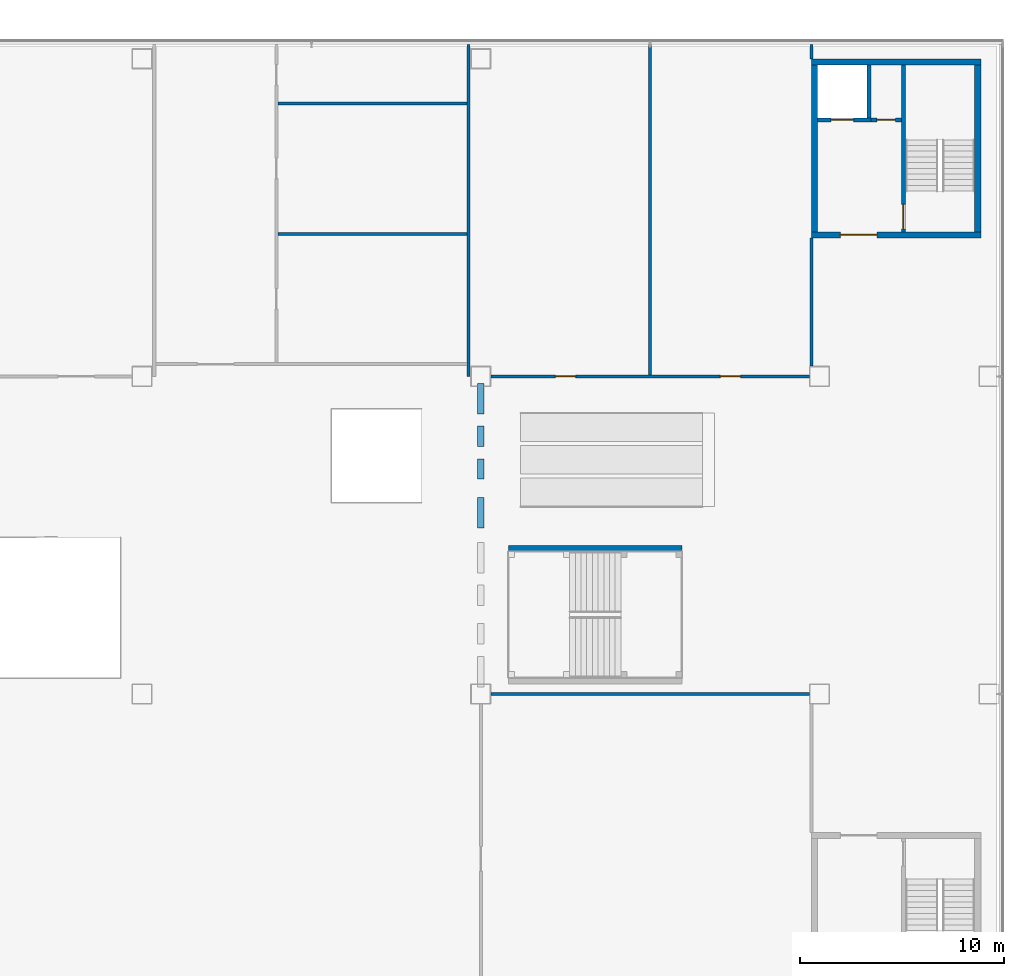
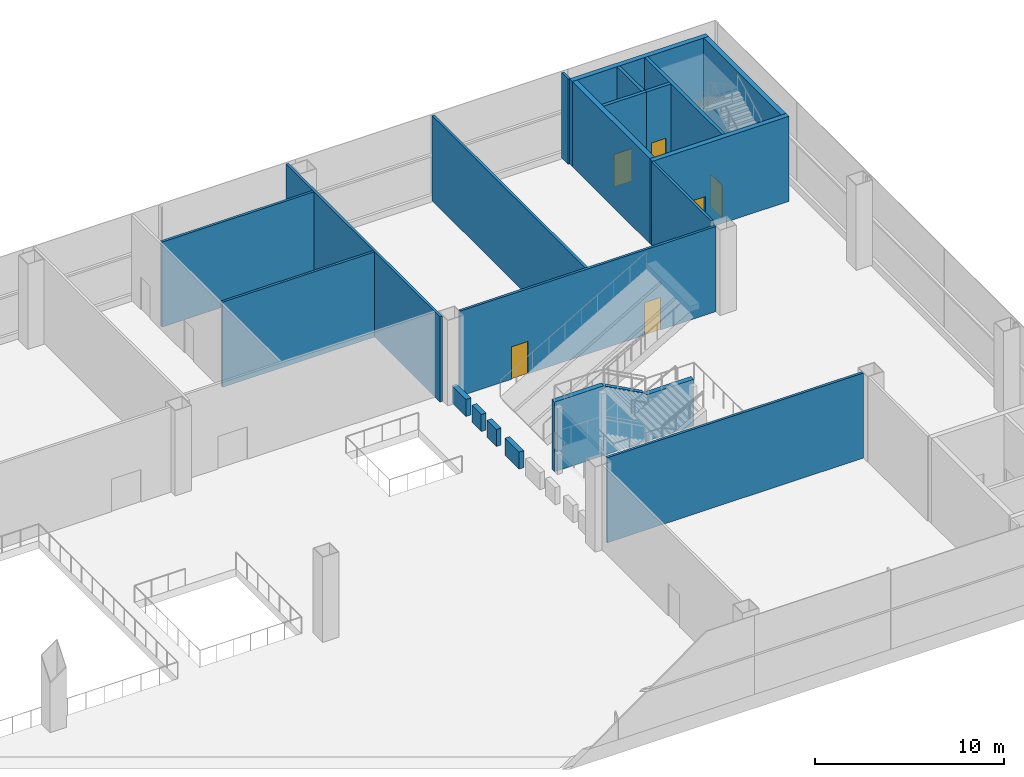
# One storey, part 41 of 100: 21 walls, 6 doors, 6 openings.
"""IFC4 building model written with IfcOpenShell, lengths in metres."""

from ifc_helpers import new_model, si_unit, direction, frame, frame_2d, origin, place, context, subcontext, project, spatial, polyline, rectangle, outline, extrude, material, layer, layer_set, type_object, element, fill, save


model = new_model("IFC4")

# Units and contexts
model_context = context("Model", 3, precision=1e-05, world=origin(), true_north=direction((0.0, 1.0)))
body_context = subcontext(model_context, "Body", "Model", "MODEL_VIEW")
ifc_project = project(units=[si_unit("LENGTHUNIT", "METRE"), si_unit("AREAUNIT", "SQUARE_METRE"), si_unit("VOLUMEUNIT", "CUBIC_METRE"), si_unit("PLANEANGLEUNIT", "RADIAN"), si_unit("MASSUNIT", "GRAM", prefix="KILO")], contexts=[model_context])

# Site, building, storey
site_placement = place(None, origin())
site = spatial("IfcSite", under=ifc_project, at=site_placement, CompositionType="ELEMENT")
building_placement = place(site_placement, origin())
building = spatial("IfcBuilding", under=site, at=building_placement, Name="Hakoniwa Tower and Hamabe Station Hall", CompositionType="ELEMENT")
storey_placement = place(building_placement, frame((0.0, 0.0, 9.0)))
storey = spatial("IfcBuildingStorey", under=building, at=storey_placement, Name="L02", CompositionType="ELEMENT", Elevation=9.0)

# Wall, opening, door
ifc_material_1 = material(Name="Concrete block masonry fb10", Category="masonry")
ifc_layer_1 = layer(ifc_material_1, 0.199951171875)
ifc_layer_set_1 = layer_set([ifc_layer_1], Name="BLOCK WALL 200 EI 60")
wall_type_1 = type_object("IfcWallType", Name="BLOCK WALL 200 EI 60", PredefinedType="PARTITIONING", material=ifc_layer_set_1)
wall_1_placement = place(storey_placement, frame((164.85009765625, 20.39990234375, 0.0), z_axis=(0.0, 0.0, 1.0), x_axis=(-1.0, 0.0, 0.0)))
wall_1 = element("IfcWall", 1, at=wall_1_placement, inside=storey, type_object=wall_type_1, Name="Station riser room wall SC2 L02", PredefinedType="PARTITIONING", context=body_context, shape_type="SweptSolid", body=[
    extrude(rectangle(XDim=1.5, YDim=0.199951171875, at=frame_2d((0.75, 0.0))), origin(), (0.0, 0.0, 1.0), 5.5),
])
opening_1_placement = place(wall_1_placement, frame((0.300048828125, 0.0, 0.0)))
opening_1 = element("IfcOpeningElement", 2, at=opening_1_placement, cuts=wall_1, Name="Opening SD-L02-017", PredefinedType="OPENING", context=body_context, shape_type="SweptSolid", body=[
    extrude(rectangle(XDim=0.89990234375, YDim=2.10009765625, at=frame_2d((0.449951171875, 1.050048828125))), frame((0.0, 0.10986328125, 0.0), z_axis=(0.0, -1.0, 0.0), x_axis=(1.0, 0.0, 0.0)), (0.0, 0.0, 1.0), 0.219970703125),
])
ifc_material_2 = material(Name="Steel fire door", Category="steel")
door_type_1 = type_object("IfcDoorType", Name="FIRE DOOR 900X2100 FD30", OperationType="SINGLE_SWING_LEFT", PredefinedType="DOOR", material=ifc_material_2)
door_1_placement = place(opening_1_placement, origin())
door_1 = element("IfcDoor", 3, at=door_1_placement, inside=storey, type_object=door_type_1, Name="Door riser SC2", OperationType="SINGLE_SWING_RIGHT", OverallHeight=2.10009765625, OverallWidth=0.89990234375, PredefinedType="DOOR", context=body_context, shape_type="SweptSolid", body=[
    extrude(rectangle(XDim=0.89990234375, YDim=2.10009765625, at=frame_2d((0.449951171875, 1.050048828125))), frame((0.0, 0.02490234375, 0.0), z_axis=(0.0, -1.0, 0.0), x_axis=(1.0, 0.0, 0.0)), (0.0, 0.0, 1.0), 0.050048828125),
])
fill(opening_1, door_1)

# Wall
ifc_material_3 = material(Name="Fire-rated gypsum board partition")
ifc_layer_2 = layer(ifc_material_3, 0.14990234375)
ifc_layer_set_2 = layer_set([ifc_layer_2], Name="FIRE PARTITION 150 EI 60")
wall_type_2 = type_object("IfcWallType", Name="FIRE PARTITION 150 EI 60", PredefinedType="PARTITIONING", material=ifc_layer_set_2)
wall_2_placement = place(storey_placement, frame((144.68994140625, -7.800048828125, 0.0), z_axis=(0.0, 0.0, 1.0), x_axis=(1.0, 0.0, 0.0)))
element("IfcWall", 4, at=wall_2_placement, inside=storey, type_object=wall_type_2, Name="Partition L02 1", PredefinedType="PARTITIONING", context=body_context, shape_type="SweptSolid", body=[
    extrude(rectangle(XDim=15.64013671875, YDim=0.14990234375, at=frame_2d((7.820068359375, 0.0))), origin(), (0.0, 0.0, 1.0), 5.5),
])

# Wall, openings, doors
wall_3_placement = place(storey_placement, frame((144.68994140625, 7.800048828125, 0.0), z_axis=(0.0, 0.0, 1.0), x_axis=(1.0, 0.0, 0.0)))
wall_3 = element("IfcWall", 5, at=wall_3_placement, inside=storey, type_object=wall_type_2, Name="Partition L02 3", PredefinedType="PARTITIONING", context=body_context, shape_type="SweptSolid", body=[
    extrude(rectangle(XDim=15.64013671875, YDim=0.14990234375, at=frame_2d((7.820068359375, 0.0))), origin(), (0.0, 0.0, 1.0), 5.5),
])
opening_2_placement = place(wall_3_placement, frame((3.159912109375, 0.0, 0.0)))
opening_2 = element("IfcOpeningElement", 6, at=opening_2_placement, cuts=wall_3, Name="Opening SD-L02-010", PredefinedType="OPENING", context=body_context, shape_type="SweptSolid", body=[
    extrude(rectangle(XDim=1.0, YDim=2.10009765625, at=frame_2d((0.5, 1.050048828125))), frame((0.0, 0.0849609375, 0.0), z_axis=(0.0, -1.0, 0.0), x_axis=(1.0, 0.0, 0.0)), (0.0, 0.0, 1.0), 0.169921875),
])
opening_3_placement = place(wall_3_placement, frame((11.264892578125, 0.0, 0.0)))
opening_3 = element("IfcOpeningElement", 7, at=opening_3_placement, cuts=wall_3, Name="Opening SD-L02-011", PredefinedType="OPENING", context=body_context, shape_type="SweptSolid", body=[
    extrude(rectangle(XDim=1.0, YDim=2.10009765625, at=frame_2d((0.5, 1.050048828125))), frame((0.0, 0.0849609375, 0.0), z_axis=(0.0, -1.0, 0.0), x_axis=(1.0, 0.0, 0.0)), (0.0, 0.0, 1.0), 0.169921875),
])
ifc_material_4 = material(Name="Timber door leaf", Category="wood")
door_type_2 = type_object("IfcDoorType", Name="SINGLE DOOR 1000X2100", OperationType="SINGLE_SWING_LEFT", PredefinedType="DOOR", material=ifc_material_4)
door_2_placement = place(opening_2_placement, origin())
door_2 = element("IfcDoor", 8, at=door_2_placement, inside=storey, type_object=door_type_2, Name="Door Station Master Office", OperationType="SINGLE_SWING_LEFT", OverallHeight=2.10009765625, OverallWidth=1.0, PredefinedType="DOOR", context=body_context, shape_type="SweptSolid", body=[
    extrude(rectangle(XDim=1.0, YDim=2.10009765625, at=frame_2d((0.5, 1.050048828125))), frame((0.0, 0.02490234375, 0.0), z_axis=(0.0, -1.0, 0.0), x_axis=(1.0, 0.0, 0.0)), (0.0, 0.0, 1.0), 0.050048828125),
])
fill(opening_2, door_2)
door_3_placement = place(opening_3_placement, origin())
door_3 = element("IfcDoor", 9, at=door_3_placement, inside=storey, type_object=door_type_2, Name="Door Railway Staff Lounge", OperationType="SINGLE_SWING_RIGHT", OverallHeight=2.10009765625, OverallWidth=1.0, PredefinedType="DOOR", context=body_context, shape_type="SweptSolid", body=[
    extrude(rectangle(XDim=1.0, YDim=2.10009765625, at=frame_2d((0.5, 1.050048828125))), frame((0.0, 0.02490234375, 0.0), z_axis=(0.0, -1.0, 0.0), x_axis=(1.0, 0.0, 0.0)), (0.0, 0.0, 1.0), 0.050048828125),
])
fill(opening_3, door_3)

# Walls
for number, where, z_axis, x_axis, name in (
    (10, (134.22509765625, 14.800048828125, 0.0), (0.0, 0.0, 1.0), (1.0, 0.0, 0.0), "Partition L02 5"),
    (11, (134.22509765625, 21.199951171875, 0.0), (0.0, 0.0, 1.0), (1.0, 0.0, 0.0), "Partition L02 6"),
):
    element("IfcWall", number, at=place(storey_placement, frame(where, z_axis=z_axis, x_axis=x_axis)), inside=storey, type_object=wall_type_2, Name=name, PredefinedType="PARTITIONING", context=body_context, shape_type="SweptSolid", body=[
        extrude(rectangle(XDim=9.289794921875, YDim=0.14990234375, at=frame_2d((4.64501953125, 0.0))), origin(), (0.0, 0.0, 1.0), 5.5),
    ])
wall_4_placement = place(storey_placement, frame((143.590087890625, 7.800048828125, 0.0), z_axis=(0.0, 0.0, 1.0), x_axis=(0.0, 1.0, 0.0)))
element("IfcWall", 12, at=wall_4_placement, inside=storey, type_object=wall_type_2, Name="Partition L02 12", PredefinedType="PARTITIONING", context=body_context, shape_type="SweptSolid", body=[
    extrude(rectangle(XDim=16.300048828125, YDim=0.14990234375, at=frame_2d((8.14990234375, 0.0))), origin(), (0.0, 0.0, 1.0), 5.5),
])
wall_5_placement = place(storey_placement, frame((152.510009765625, 7.875, 0.0), z_axis=(0.0, 0.0, 1.0), x_axis=(0.0, 1.0, 0.0)))
element("IfcWall", 13, at=wall_5_placement, inside=storey, type_object=wall_type_2, Name="Partition L02 14", PredefinedType="PARTITIONING", context=body_context, shape_type="SweptSolid", body=[
    extrude(rectangle(XDim=16.22509765625, YDim=0.14990234375, at=frame_2d((8.112548828125, 0.0))), origin(), (0.0, 0.0, 1.0), 5.5),
])
wall_6_placement = place(storey_placement, frame((160.429931640625, 8.300048828125, 0.0), z_axis=(0.0, 0.0, 1.0), x_axis=(0.0, 1.0, 0.0)))
element("IfcWall", 14, at=wall_6_placement, inside=storey, type_object=wall_type_2, Name="Partition L02 17", PredefinedType="PARTITIONING", context=body_context, shape_type="SweptSolid", body=[
    extrude(rectangle(XDim=6.300048828125, YDim=0.14990234375, at=frame_2d((3.14990234375, 0.0))), origin(), (0.0, 0.0, 1.0), 5.5),
])
wall_7_placement = place(storey_placement, frame((160.429931640625, 23.39990234375, 0.0), z_axis=(0.0, 0.0, 1.0), x_axis=(0.0, 1.0, 0.0)))
element("IfcWall", 15, at=wall_7_placement, inside=storey, type_object=wall_type_2, Name="Partition L02 18", PredefinedType="PARTITIONING", context=body_context, shape_type="SweptSolid", body=[
    extrude(rectangle(XDim=0.7001953125, YDim=0.14990234375, at=frame_2d((0.35009765625, 0.0))), origin(), (0.0, 0.0, 1.0), 5.5),
])

# Wall, opening, door
ifc_material_5 = material(Name="Concrete C60", Category="concrete")
ifc_layer_3 = layer(ifc_material_5, 0.199951171875)
ifc_layer_set_3 = layer_set([ifc_layer_3], Name="RC WALL 200 EI 120 C60")
wall_type_3 = type_object("IfcWallType", Name="RC WALL 200 EI 120 C60", PredefinedType="SHEAR", material=ifc_layer_set_3)
wall_8_placement = place(storey_placement, frame((164.949951171875, 23.10009765625, 0.0), z_axis=(0.0, 0.0, 1.0), x_axis=(0.0, -1.0, 0.0)))
wall_8 = element("IfcWall", 16, at=wall_8_placement, inside=storey, type_object=wall_type_3, Name="Station stair wall SC2 L02", PredefinedType="SHEAR", context=body_context, shape_type="SweptSolid", body=[
    extrude(rectangle(XDim=8.2001953125, YDim=0.199951171875, at=frame_2d((4.10009765625, 0.0))), origin(), (0.0, 0.0, 1.0), 5.5),
])
opening_4_placement = place(wall_8_placement, frame((6.85009765625, 0.0, 0.0)))
opening_4 = element("IfcOpeningElement", 17, at=opening_4_placement, cuts=wall_8, Name="Opening SD-L02-016", PredefinedType="OPENING", context=body_context, shape_type="SweptSolid", body=[
    extrude(rectangle(XDim=1.199951171875, YDim=2.10009765625, at=frame_2d((0.60009765625, 1.050048828125))), frame((0.0, 0.10986328125, 0.0), z_axis=(0.0, -1.0, 0.0), x_axis=(1.0, 0.0, 0.0)), (0.0, 0.0, 1.0), 0.219970703125),
])
ifc_material_6 = material(Name="Steel fire door", Category="steel")
door_type_3 = type_object("IfcDoorType", Name="FIRE DOOR 1200X2100 FD60", OperationType="SINGLE_SWING_LEFT", PredefinedType="DOOR", material=ifc_material_6)
door_4_placement = place(opening_4_placement, origin())
door_4 = element("IfcDoor", 18, at=door_4_placement, inside=storey, type_object=door_type_3, Name="Door escape stair SC2", OperationType="SINGLE_SWING_RIGHT", OverallHeight=2.10009765625, OverallWidth=1.199951171875, PredefinedType="DOOR", context=body_context, shape_type="SweptSolid", body=[
    extrude(rectangle(XDim=1.199951171875, YDim=2.10009765625, at=frame_2d((0.60009765625, 1.050048828125))), frame((0.0, 0.02490234375, 0.0), z_axis=(0.0, -1.0, 0.0), x_axis=(1.0, 0.0, 0.0)), (0.0, 0.0, 1.0), 0.050048828125),
])
fill(opening_4, door_4)

# Wall
ifc_material_7 = material(Name="Concrete C60", Category="concrete")
ifc_layer_4 = layer(ifc_material_7, 0.199951171875)
ifc_layer_set_4 = layer_set([ifc_layer_4], Name="RC WALL 200 EI 60 C60")
wall_type_4 = type_object("IfcWallType", Name="RC WALL 200 EI 60 C60", PredefinedType="SHEAR", material=ifc_layer_set_4)
wall_9_placement = place(storey_placement, frame((163.25, 23.10009765625, 0.0), z_axis=(0.0, 0.0, 1.0), x_axis=(0.0, -1.0, 0.0)))
element("IfcWall", 19, at=wall_9_placement, inside=storey, type_object=wall_type_4, Name="Station hoistway wall SC2 L02", PredefinedType="SHEAR", context=body_context, shape_type="SweptSolid", body=[
    extrude(rectangle(XDim=2.60009765625, YDim=0.199951171875, at=frame_2d((1.300048828125, 0.0))), origin(), (0.0, 0.0, 1.0), 5.5),
])

# Wall, opening, door
wall_10_placement = place(storey_placement, frame((163.35009765625, 20.39990234375, 0.0), z_axis=(0.0, 0.0, 1.0), x_axis=(-1.0, 0.0, 0.0)))
wall_10 = element("IfcWall", 20, at=wall_10_placement, inside=storey, type_object=wall_type_4, Name="Station hoistway front wall SC2 L02", PredefinedType="SHEAR", context=body_context, shape_type="SweptSolid", body=[
    extrude(rectangle(XDim=2.6201171875, YDim=0.199951171875, at=frame_2d((1.31005859375, 0.0))), origin(), (0.0, 0.0, 1.0), 5.5),
])
opening_5_placement = place(wall_10_placement, frame((0.85009765625, 0.0, 0.0)))
opening_5 = element("IfcOpeningElement", 21, at=opening_5_placement, cuts=wall_10, Name="Opening LD-SL2-L02", PredefinedType="OPENING", context=body_context, shape_type="SweptSolid", body=[
    extrude(rectangle(XDim=1.10009765625, YDim=2.10009765625, at=frame_2d((0.550048828125, 1.050048828125))), frame((0.0, 0.10986328125, 0.0), z_axis=(0.0, -1.0, 0.0), x_axis=(1.0, 0.0, 0.0)), (0.0, 0.0, 1.0), 0.219970703125),
])
ifc_material_8 = material(Name="Stainless steel SUS304", Category="steel")
door_type_4 = type_object("IfcDoorType", Name="LIFT LANDING DOOR 1100X2100", OperationType="DOUBLE_DOOR_SLIDING", PredefinedType="DOOR", material=ifc_material_8)
door_5_placement = place(opening_5_placement, origin())
door_5 = element("IfcDoor", 22, at=door_5_placement, inside=storey, type_object=door_type_4, Name="Lift landing door SL2 L02", OperationType="DOUBLE_DOOR_SLIDING", OverallHeight=2.10009765625, OverallWidth=1.10009765625, PredefinedType="DOOR", context=body_context, shape_type="SweptSolid", body=[
    extrude(rectangle(XDim=1.10009765625, YDim=2.10009765625, at=frame_2d((0.550048828125, 1.050048828125))), frame((0.0, 0.02490234375, 0.0), z_axis=(0.0, -1.0, 0.0), x_axis=(1.0, 0.0, 0.0)), (0.0, 0.0, 1.0), 0.050048828125),
])
fill(opening_5, door_5)

# Walls
ifc_material_9 = material(Name="Concrete C40", Category="concrete")
ifc_layer_5 = layer(ifc_material_9, 0.300048828125)
ifc_layer_set_5 = layer_set([ifc_layer_5], Name="RC WALL 300 EI 120 C40")
wall_type_5 = type_object("IfcWallType", Name="RC WALL 300 EI 120 C40", PredefinedType="SHEAR", material=ifc_layer_set_5)
wall_11_placement = place(storey_placement, frame((154.070068359375, -0.64990234375, 0.0), z_axis=(0.0, 0.0, 1.0), x_axis=(-1.0, 0.0, 0.0)))
element("IfcWall", 23, at=wall_11_placement, inside=storey, type_object=wall_type_5, Name="Stair cheek wall PA1 a", PredefinedType="SHEAR", context=body_context, shape_type="SweptSolid", body=[
    extrude(outline(polyline([(0.0, 0.0), (8.52001953125, 0.0), (8.52001953125, 4.5), (5.60009765625, 4.5), (5.5, 4.4892578125), (5.300048828125, 4.382080078125), (5.199951171875, 4.32861328125), (5.0, 4.221435546875), (4.89990234375, 4.16796875), (4.60009765625, 4.007080078125), (4.5, 3.95361328125), (4.300048828125, 3.846435546875), (4.199951171875, 3.79296875), (3.89990234375, 3.632080078125), (3.800048828125, 3.57861328125), (3.60009765625, 3.471435546875), (3.5, 3.41796875), (3.199951171875, 3.257080078125), (3.10009765625, 3.20361328125), (3.0, 3.14990234375), (2.89990234375, 3.0), (0.0, 3.0), (0.0, 0.0)])), frame((0.0, 0.14990234375, 0.0), z_axis=(0.0, -1.0, 0.0), x_axis=(1.0, 0.0, 0.0)), (0.0, 0.0, 1.0), 0.300048828125),
])
ifc_material_10 = material(Name="Concrete C60", Category="concrete")
ifc_layer_6 = layer(ifc_material_10, 0.300048828125)
ifc_layer_set_6 = layer_set([ifc_layer_6], Name="RC WALL 300 EI 120 C60")
wall_type_6 = type_object("IfcWallType", Name="RC WALL 300 EI 120 C60", PredefinedType="SHEAR", material=ifc_layer_set_6)
wall_12_placement = place(storey_placement, frame((168.75, 23.25, 0.0), z_axis=(0.0, 0.0, 1.0), x_axis=(-1.0, 0.0, 0.0)))
element("IfcWall", 24, at=wall_12_placement, inside=storey, type_object=wall_type_6, Name="Station core wall SC2 outer-v L02", PredefinedType="SHEAR", context=body_context, shape_type="SweptSolid", body=[
    extrude(rectangle(XDim=8.320068359375, YDim=0.300048828125, at=frame_2d((4.16015625, 0.0))), origin(), (0.0, 0.0, 1.0), 5.5),
])

# Wall, opening, door
wall_13_placement = place(storey_placement, frame((168.75, 14.75, 0.0), z_axis=(0.0, 0.0, 1.0), x_axis=(-1.0, 0.0, 0.0)))
wall_13 = element("IfcWall", 25, at=wall_13_placement, inside=storey, type_object=wall_type_6, Name="Station core wall SC2 inner-v L02", PredefinedType="SHEAR", context=body_context, shape_type="SweptSolid", body=[
    extrude(rectangle(XDim=8.320068359375, YDim=0.300048828125, at=frame_2d((4.16015625, 0.0))), origin(), (0.0, 0.0, 1.0), 5.5),
])
opening_6_placement = place(wall_13_placement, frame((5.10009765625, 0.0, 0.0)))
opening_6 = element("IfcOpeningElement", 26, at=opening_6_placement, cuts=wall_13, Name="Opening SD-L02-015", PredefinedType="OPENING", context=body_context, shape_type="SweptSolid", body=[
    extrude(rectangle(XDim=1.800048828125, YDim=2.10009765625, at=frame_2d((0.89990234375, 1.050048828125))), frame((0.0, 0.159912109375, 0.0), z_axis=(0.0, -1.0, 0.0), x_axis=(1.0, 0.0, 0.0)), (0.0, 0.0, 1.0), 0.320068359375),
])
ifc_material_11 = material(Name="Steel fire door", Category="steel")
door_type_5 = type_object("IfcDoorType", Name="FIRE DOUBLE DOOR 1800X2100 FD60", OperationType="DOUBLE_DOOR_SINGLE_SWING", PredefinedType="DOOR", material=ifc_material_11)
door_6_placement = place(opening_6_placement, origin())
door_6 = element("IfcDoor", 27, at=door_6_placement, inside=storey, type_object=door_type_5, Name="Door lobby SC2", OperationType="DOUBLE_DOOR_SINGLE_SWING", OverallHeight=2.10009765625, OverallWidth=1.800048828125, PredefinedType="DOOR", context=body_context, shape_type="SweptSolid", body=[
    extrude(rectangle(XDim=1.800048828125, YDim=2.10009765625, at=frame_2d((0.89990234375, 1.050048828125))), frame((0.0, 0.02490234375, 0.0), z_axis=(0.0, -1.0, 0.0), x_axis=(1.0, 0.0, 0.0)), (0.0, 0.0, 1.0), 0.050048828125),
])
fill(opening_6, door_6)

# Walls
for number, where, z_axis, x_axis, name in (
    (28, (168.60009765625, 23.10009765625, 0.0), (0.0, 0.0, 1.0), (0.0, -1.0, 0.0), "Station core wall SC2 outer-u L02"),
    (29, (160.580078125, 23.10009765625, 0.0), (0.0, 0.0, 1.0), (0.0, -1.0, 0.0), "Station core wall SC2 inner-u L02"),
):
    element("IfcWall", number, at=place(storey_placement, frame(where, z_axis=z_axis, x_axis=x_axis)), inside=storey, type_object=wall_type_6, Name=name, PredefinedType="SHEAR", context=body_context, shape_type="SweptSolid", body=[
        extrude(rectangle(XDim=8.2001953125, YDim=0.300048828125, at=frame_2d((4.10009765625, 0.0))), origin(), (0.0, 0.0, 1.0), 5.5),
    ])
ifc_material_12 = material(Name="Stainless steel SUS304", Category="steel")
ifc_layer_7 = layer(ifc_material_12, 0.300048828125)
ifc_layer_set_7 = layer_set([ifc_layer_7], Name="TICKET GATE CABINET 300")
wall_type_7 = type_object("IfcWallType", Name="TICKET GATE CABINET 300", PredefinedType="STANDARD", material=ifc_layer_set_7)
wall_14_placement = place(storey_placement, frame((144.18994140625, 0.35009765625, 0.0), z_axis=(0.0, 0.0, 1.0), x_axis=(0.0, 1.0, 0.0)))
element("IfcWall", 30, at=wall_14_placement, inside=storey, type_object=wall_type_7, Name="Ticket gate cabinet L02", PredefinedType="STANDARD", context=body_context, shape_type="SweptSolid", body=[
    extrude(rectangle(XDim=1.5, YDim=0.300048828125, at=frame_2d((0.75, 0.0))), origin(), (0.0, 0.0, 1.0), 1.10009765625),
])
for number, where, z_axis, x_axis, name in (
    (31, (144.18994140625, 2.75, 0.0), (0.0, 0.0, 1.0), (0.0, 1.0, 0.0), "Ticket gate cabinet L02"),
    (32, (144.18994140625, 4.35009765625, 0.0), (0.0, 0.0, 1.0), (0.0, 1.0, 0.0), "Ticket gate cabinet L02"),
):
    element("IfcWall", number, at=place(storey_placement, frame(where, z_axis=z_axis, x_axis=x_axis)), inside=storey, type_object=wall_type_7, Name=name, PredefinedType="STANDARD", context=body_context, shape_type="SweptSolid", body=[
        extrude(rectangle(XDim=1.0, YDim=0.300048828125, at=frame_2d((0.5, 0.0))), origin(), (0.0, 0.0, 1.0), 1.10009765625),
    ])
wall_15_placement = place(storey_placement, frame((144.18994140625, 5.949951171875, 0.0), z_axis=(0.0, 0.0, 1.0), x_axis=(0.0, 1.0, 0.0)))
element("IfcWall", 33, at=wall_15_placement, inside=storey, type_object=wall_type_7, Name="Ticket gate cabinet L02", PredefinedType="STANDARD", context=body_context, shape_type="SweptSolid", body=[
    extrude(rectangle(XDim=1.5, YDim=0.300048828125, at=frame_2d((0.75, 0.0))), origin(), (0.0, 0.0, 1.0), 1.10009765625),
])

save(model, "model.ifc")
